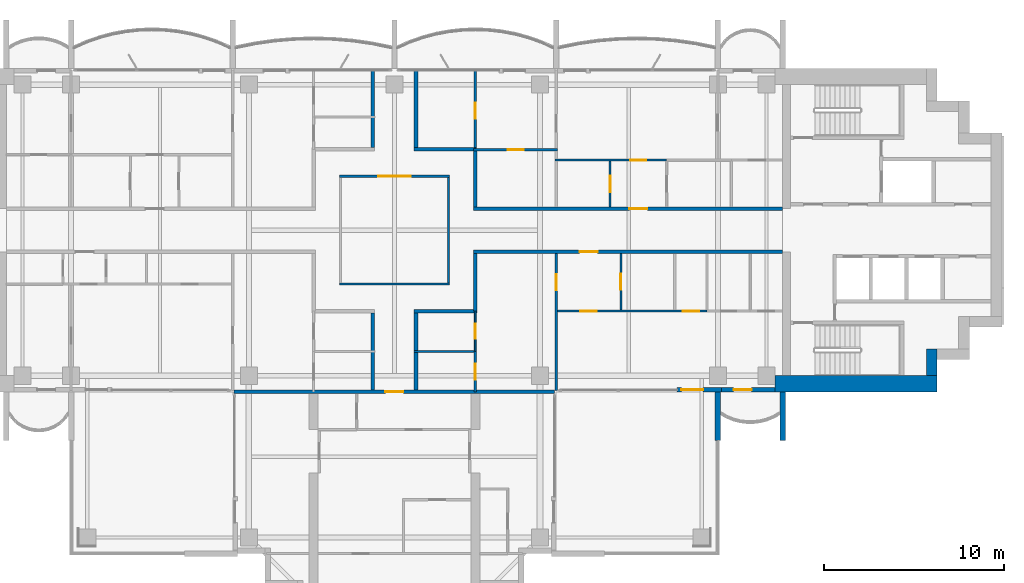
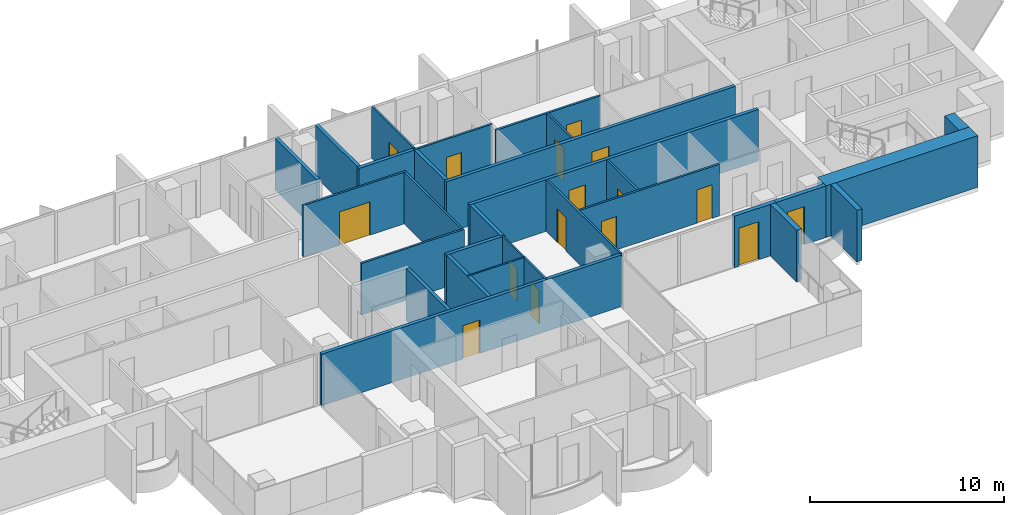
# One storey, part 11 of 17: 30 walls, 16 doors, 16 openings.
"""IFC4 building model written with IfcOpenShell, lengths in metres."""

import ifcopenshell
import ifcopenshell.guid

model = None  # the IFC model being written
_history = None  # IfcOwnerHistory: only IFC2X3 demands one
_inside = {}  # id of a spatial element -> (the spatial element, [elements in it])
_under = {}  # id of a project, library or spatial element -> (it, [spatial elements below it])
_declared = {}  # id of a project -> (the project, [libraries it declares])
_typed = {}  # id of a type object -> (the type object, [elements of that type])
_made_of = {}  # id of a material, layer set ... -> (it, [elements and type objects made of it])


def new_model(schema):
    """Start an empty IFC model of exactly this schema.

    Asked for "IFC4X3", IfcOpenShell would pick the latest addendum, in which some entities
    have other attributes; the version numbers below select the first issue.
    IFC2X3 requires an IfcOwnerHistory on every rooted entity: one is made here for all.
    """
    global model, _history
    if schema == "IFC4X3":
        model = ifcopenshell.file(schema_version=(4, 3, 0, 0))
    else:
        model = ifcopenshell.file(schema=schema)
    _inside.clear()
    _under.clear()
    _declared.clear()
    _typed.clear()
    _made_of.clear()
    _history = None
    if model.schema == "IFC2X3":
        org = make("IfcOrganization", Name="unknown")
        user = make(
            "IfcPersonAndOrganization",
            ThePerson=make("IfcPerson", FamilyName="unknown"),
            TheOrganization=org,
        )
        app = make(
            "IfcApplication",
            ApplicationDeveloper=org,
            Version="unknown",
            ApplicationFullName="unknown",
            ApplicationIdentifier="unknown",
        )
        _history = make(
            "IfcOwnerHistory",
            OwningUser=user,
            OwningApplication=app,
            ChangeAction="ADDED",
            CreationDate=0,
        )
    return model


def make(cls, **values):
    """One entity of the class cls with the attributes given. An attribute that is None is left unset."""
    return model.create_entity(
        cls, **{name: value for name, value in values.items() if value is not None}
    )


def rooted(cls, **values):
    """An entity with a GlobalId (a new one), such as an element, a storey or a relation."""
    return make(cls, GlobalId=ifcopenshell.guid.new(), OwnerHistory=_history, **values)


def si_unit(unit_type, name, prefix=None):
    """IfcSIUnit, for example si_unit("LENGTHUNIT", "METRE", prefix="MILLI")."""
    return make("IfcSIUnit", UnitType=unit_type, Prefix=prefix, Name=name)


def assignment(units):
    """IfcUnitAssignment: the units of a project."""
    return None if units is None else make("IfcUnitAssignment", Units=units)


def point(xyz):
    """IfcCartesianPoint."""
    return None if xyz is None else make("IfcCartesianPoint", Coordinates=xyz)


def direction(xyz):
    """IfcDirection."""
    return None if xyz is None else make("IfcDirection", DirectionRatios=xyz)


def frame(location, z_axis=None, x_axis=None):
    """IfcAxis2Placement3D, a coordinate frame: its origin and axes. An axis left out is left unset."""
    return make(
        "IfcAxis2Placement3D",
        Location=point(location),
        Axis=direction(z_axis),
        RefDirection=direction(x_axis),
    )


def frame_2d(location, x_axis=None):
    """IfcAxis2Placement2D, a coordinate frame in the plane: its origin and x axis."""
    return make(
        "IfcAxis2Placement2D", Location=point(location), RefDirection=direction(x_axis)
    )


def origin():
    """The frame at (0, 0, 0) with its axes left unset."""
    return frame((0.0, 0.0, 0.0))


def place(relative_to, where):
    """IfcLocalPlacement: puts the frame where relative to a parent placement (None: the world)."""
    return make(
        "IfcLocalPlacement", PlacementRelTo=relative_to, RelativePlacement=where
    )


def context(
    kind, dimensions, precision=None, world=None, true_north=None, identifier=None
):
    """IfcGeometricRepresentationContext, for example the 3D "Model" context."""
    return make(
        "IfcGeometricRepresentationContext",
        ContextIdentifier=identifier,
        ContextType=kind,
        CoordinateSpaceDimension=dimensions,
        Precision=precision,
        WorldCoordinateSystem=world,
        TrueNorth=true_north,
    )


def subcontext(parent, identifier, kind, view, scale=None):
    """IfcGeometricRepresentationSubContext, for example "Body" below "Model"."""
    return make(
        "IfcGeometricRepresentationSubContext",
        ContextIdentifier=identifier,
        ContextType=kind,
        ParentContext=parent,
        TargetScale=scale,
        TargetView=view,
    )


def project(units=None, contexts=None):
    """IfcProject with its units and contexts."""
    return rooted(
        "IfcProject",
        Name="project",
        RepresentationContexts=contexts,
        UnitsInContext=assignment(units),
    )


def spatial(cls, under=None, at=None, **own):
    """A site, building, storey or space (cls), placed at a placement, below another one or the project."""
    s = rooted(cls, ObjectPlacement=at, **own)
    if under is not None:
        _under.setdefault(under.id(), (under, []))[1].append(s)
    return s


def profile(cls, at=None, kind="AREA", **sizes):
    """A parametric profile (cls). Its sizes go by their IFC names, for example OverallWidth=200.0."""
    return make(cls, ProfileType=kind, Position=at, **sizes)


def rectangle(**sizes):
    """IfcRectangleProfileDef."""
    return profile("IfcRectangleProfileDef", **sizes)


def extrude(swept, where, along, depth):
    """IfcExtrudedAreaSolid: the profile swept, set in the frame where, extruded along a direction by depth."""
    return make(
        "IfcExtrudedAreaSolid",
        SweptArea=swept,
        Position=where,
        ExtrudedDirection=direction(along),
        Depth=depth,
    )


def shape(context_of_items, identifier, shape_type, items):
    """IfcShapeRepresentation: the items that make up one representation, for example the "Body"."""
    return make(
        "IfcShapeRepresentation",
        ContextOfItems=context_of_items,
        RepresentationIdentifier=identifier,
        RepresentationType=shape_type,
        Items=items,
    )


def material(Name=None, Category=None):
    """IfcMaterial."""
    return make("IfcMaterial", Name=Name, Category=Category)


def layer(
    of_material, thickness, ventilated=None, Name=None, Category=None, Priority=None
):
    """IfcMaterialLayer: one layer of a wall or slab, of a material (None: an air gap)."""
    return make(
        "IfcMaterialLayer",
        Material=of_material,
        LayerThickness=thickness,
        IsVentilated=ventilated,
        Name=Name,
        Category=Category,
        Priority=Priority,
    )


def layer_set(layers, Name=None):
    """IfcMaterialLayerSet."""
    return make("IfcMaterialLayerSet", MaterialLayers=layers, LayerSetName=Name)


def made_of(thing, what):
    """Note that an element or type object is made of a material, layer set ...; save() writes the relation."""
    if what is not None:
        _made_of.setdefault(what.id(), (what, []))[1].append(thing)
    return thing


def type_object(cls, material=None, **own):
    """A type object (cls), such as IfcWallType, which elements share."""
    return made_of(rooted(cls, **own), material)


def element(
    cls,
    number,
    at=None,
    inside=None,
    cuts=None,
    type_object=None,
    material=None,
    context=None,
    identifier="Body",
    shape_type=None,
    held_by="IfcProductDefinitionShape",
    body=None,
    shapes=None,
    **own,
):
    """One element of the class cls, such as IfcWall. Its Tag is "e" and its number.

    at: its placement. inside: the storey or other place that contains it. cuts: it is an
    opening in that element (IfcRelVoidsElement). A single representation is given by context,
    identifier, shape_type and body (its items); several are given by shapes. held_by: the class
    of the entity that holds the representations. save() writes the other relations.
    """
    e = rooted(cls, Tag="e%d" % number, ObjectPlacement=at, **own)
    if body is not None:
        shapes = [shape(context, identifier, shape_type, body)]
    if shapes is not None:
        e.Representation = make(held_by, Representations=shapes)
    if inside is not None:
        _inside.setdefault(inside.id(), (inside, []))[1].append(e)
    if cuts is not None:
        rooted(
            "IfcRelVoidsElement", RelatingBuildingElement=cuts, RelatedOpeningElement=e
        )
    if type_object is not None:
        _typed.setdefault(type_object.id(), (type_object, []))[1].append(e)
    return made_of(e, material)


def fill(opening, filler):
    """IfcRelFillsElement: the door or window that sits in an opening."""
    return rooted(
        "IfcRelFillsElement",
        RelatingOpeningElement=opening,
        RelatedBuildingElement=filler,
    )


def aggregate(whole, parts):
    """IfcRelAggregates: a whole, such as a stair, and the parts it consists of."""
    return rooted("IfcRelAggregates", RelatingObject=whole, RelatedObjects=parts)


def save(model, path):
    """Write the relations noted so far, then the file.

    IfcRelAggregates (storeys below a building ...), IfcRelContainedInSpatialStructure (elements
    in a storey), IfcRelDefinesByType, IfcRelAssociatesMaterial and IfcRelDeclares: one each for
    every whole, place, type object, material and project.
    """
    for whole, parts in _under.values():
        aggregate(whole, parts)
    for where, things in _inside.values():
        rooted(
            "IfcRelContainedInSpatialStructure",
            RelatedElements=things,
            RelatingStructure=where,
        )
    for kind, things in _typed.values():
        rooted("IfcRelDefinesByType", RelatedObjects=things, RelatingType=kind)
    for what, things in _made_of.values():
        rooted("IfcRelAssociatesMaterial", RelatedObjects=things, RelatingMaterial=what)
    for by, libraries in _declared.values():
        rooted("IfcRelDeclares", RelatingContext=by, RelatedDefinitions=libraries)
    model.write(path)


model = new_model("IFC4")

# Units and contexts
model_context = context("Model", 3, precision=1e-05, world=origin(), true_north=direction((0.0, 1.0)))
body_context = subcontext(model_context, "Body", "Model", "MODEL_VIEW")
ifc_project = project(units=[si_unit("LENGTHUNIT", "METRE"), si_unit("AREAUNIT", "SQUARE_METRE"), si_unit("VOLUMEUNIT", "CUBIC_METRE"), si_unit("PLANEANGLEUNIT", "RADIAN"), si_unit("MASSUNIT", "GRAM", prefix="KILO")], contexts=[model_context])

# Site, building, storey
site_placement = place(None, origin())
site = spatial("IfcSite", under=ifc_project, at=site_placement, CompositionType="ELEMENT")
building_placement = place(site_placement, origin())
building = spatial("IfcBuilding", under=site, at=building_placement, Name="Perihelion Cross Residences", CompositionType="ELEMENT")
storey_placement = place(building_placement, frame((0.0, 0.0, 180.60009765625)))
storey = spatial("IfcBuildingStorey", under=building, at=storey_placement, Name="L44", CompositionType="ELEMENT", Elevation=180.60009765625)

# Wall, opening, door
ifc_material_1 = material(Name="Plasterboard partition")
ifc_layer_1 = layer(ifc_material_1, 0.199951171875)
ifc_layer_set_1 = layer_set([ifc_layer_1], Name="Apartment separation wall 200")
wall_type_1 = type_object("IfcWallType", Name="Apartment separation wall 200", PredefinedType="PARTITIONING", material=ifc_layer_set_1)
wall_1_placement = place(storey_placement, frame((4.39990234375, 1.199951171875, 0.0), z_axis=(0.0, 0.0, 1.0), x_axis=(1.0, 0.0, 0.0)))
wall_1 = element("IfcWall", 1, at=wall_1_placement, inside=storey, type_object=wall_type_1, Name="Partition L44 W005", PredefinedType="PARTITIONING", context=body_context, shape_type="SweptSolid", body=[
    extrude(rectangle(XDim=17.2001953125, YDim=0.199951171875, at=frame_2d((8.60009765625, 0.0))), origin(), (0.0, 0.0, 1.0), 3.25),
])
opening_1_placement = place(wall_1_placement, frame((8.675048828125, 0.0, 0.0)))
opening_1 = element("IfcOpeningElement", 2, at=opening_1_placement, cuts=wall_1, Name="Opening L44.A40", PredefinedType="OPENING", context=body_context, shape_type="SweptSolid", body=[
    extrude(rectangle(XDim=1.0, YDim=2.10009765625, at=frame_2d((0.5, 1.050048828125))), frame((0.0, 0.10986328125, 0.0), z_axis=(0.0, -1.0, 0.0), x_axis=(1.0, 0.0, 0.0)), (0.0, 0.0, 1.0), 0.219970703125),
])
ifc_material_2 = material(Name="Timber door leaf", Category="wood")
door_type_1 = type_object("IfcDoorType", Name="Flat entrance door 1000 x 2100", OperationType="SINGLE_SWING_LEFT", PredefinedType="DOOR", material=ifc_material_2)
door_1_placement = place(opening_1_placement, origin())
door_1 = element("IfcDoor", 3, at=door_1_placement, inside=storey, type_object=door_type_1, Name="Door L44.A40", OperationType="SINGLE_SWING_LEFT", OverallHeight=2.10009765625, OverallWidth=1.0, PredefinedType="DOOR", context=body_context, shape_type="SweptSolid", body=[
    extrude(rectangle(XDim=1.0, YDim=2.10009765625, at=frame_2d((0.5, 1.050048828125))), frame((0.0, 0.02490234375, 0.0), z_axis=(0.0, -1.0, 0.0), x_axis=(1.0, 0.0, 0.0)), (0.0, 0.0, 1.0), 0.050048828125),
])
fill(opening_1, door_1)

# Walls
wall_2_placement = place(storey_placement, frame((4.5, 4.416015625, 0.0), z_axis=(0.0, 0.0, 1.0), x_axis=(0.0, -1.0, 0.0)))
element("IfcWall", 4, at=wall_2_placement, inside=storey, type_object=wall_type_1, Name="Partition L44 W006", PredefinedType="PARTITIONING", context=body_context, shape_type="SweptSolid", body=[
    extrude(rectangle(XDim=3.115966796875, YDim=0.199951171875, at=frame_2d((1.55810546875, 0.0))), origin(), (0.0, 0.0, 1.0), 3.25),
])
wall_3_placement = place(storey_placement, frame((1.199951171875, 8.919921875, 0.0), z_axis=(0.0, 0.0, 1.0), x_axis=(0.0, -1.0, 0.0)))
element("IfcWall", 5, at=wall_3_placement, inside=storey, type_object=wall_type_1, Name="Partition L44 W007", PredefinedType="PARTITIONING", context=body_context, shape_type="SweptSolid", body=[
    extrude(rectangle(XDim=4.31982421875, YDim=0.199951171875, at=frame_2d((2.159912109375, 0.0))), origin(), (0.0, 0.0, 1.0), 3.25),
])
wall_4_placement = place(storey_placement, frame((1.10009765625, 4.5, 0.0), z_axis=(0.0, 0.0, 1.0), x_axis=(1.0, 0.0, 0.0)))
element("IfcWall", 6, at=wall_4_placement, inside=storey, type_object=wall_type_1, Name="Partition L44 W008", PredefinedType="PARTITIONING", context=body_context, shape_type="SweptSolid", body=[
    extrude(rectangle(XDim=3.4599609375, YDim=0.199951171875, at=frame_2d((1.72998046875, 0.0))), origin(), (0.0, 0.0, 1.0), 3.25),
])

# Wall, opening, door
wall_5_placement = place(storey_placement, frame((21.60009765625, -1.199951171875, 0.0), z_axis=(0.0, 0.0, 1.0), x_axis=(-1.0, 0.0, 0.0)))
wall_5 = element("IfcWall", 7, at=wall_5_placement, inside=storey, type_object=wall_type_1, Name="Partition L44 W009", PredefinedType="PARTITIONING", context=body_context, shape_type="SweptSolid", body=[
    extrude(rectangle(XDim=17.2001953125, YDim=0.199951171875, at=frame_2d((8.60009765625, 0.0))), origin(), (0.0, 0.0, 1.0), 3.25),
])
opening_2_placement = place(wall_5_placement, frame((10.300048828125, 0.0, 0.0)))
opening_2 = element("IfcOpeningElement", 8, at=opening_2_placement, cuts=wall_5, Name="Opening L44.A41", PredefinedType="OPENING", context=body_context, shape_type="SweptSolid", body=[
    extrude(rectangle(XDim=1.0, YDim=2.10009765625, at=frame_2d((0.5, 1.050048828125))), frame((0.0, 0.10986328125, 0.0), z_axis=(0.0, -1.0, 0.0), x_axis=(1.0, 0.0, 0.0)), (0.0, 0.0, 1.0), 0.219970703125),
])
door_2_placement = place(opening_2_placement, origin())
door_2 = element("IfcDoor", 9, at=door_2_placement, inside=storey, type_object=door_type_1, Name="Door L44.A41", OperationType="SINGLE_SWING_LEFT", OverallHeight=2.10009765625, OverallWidth=1.0, PredefinedType="DOOR", context=body_context, shape_type="SweptSolid", body=[
    extrude(rectangle(XDim=1.0, YDim=2.10009765625, at=frame_2d((0.5, 1.050048828125))), frame((0.0, 0.02490234375, 0.0), z_axis=(0.0, -1.0, 0.0), x_axis=(1.0, 0.0, 0.0)), (0.0, 0.0, 1.0), 0.050048828125),
])
fill(opening_2, door_2)

# Walls
wall_6_placement = place(storey_placement, frame((4.5, -1.300048828125, 0.0), z_axis=(0.0, 0.0, 1.0), x_axis=(0.0, -1.0, 0.0)))
element("IfcWall", 10, at=wall_6_placement, inside=storey, type_object=wall_type_1, Name="Partition L44 W010", PredefinedType="PARTITIONING", context=body_context, shape_type="SweptSolid", body=[
    extrude(rectangle(XDim=3.199951171875, YDim=0.199951171875, at=frame_2d((1.60009765625, 0.0))), origin(), (0.0, 0.0, 1.0), 3.25),
])
wall_7_placement = place(storey_placement, frame((4.60009765625, -4.5, 0.0), z_axis=(0.0, 0.0, 1.0), x_axis=(-1.0, 0.0, 0.0)))
element("IfcWall", 11, at=wall_7_placement, inside=storey, type_object=wall_type_1, Name="Partition L44 W011", PredefinedType="PARTITIONING", context=body_context, shape_type="SweptSolid", body=[
    extrude(rectangle(XDim=3.5, YDim=0.199951171875, at=frame_2d((1.75, 0.0))), origin(), (0.0, 0.0, 1.0), 3.25),
])
wall_8_placement = place(storey_placement, frame((1.199951171875, -4.60009765625, 0.0), z_axis=(0.0, 0.0, 1.0), x_axis=(0.0, -1.0, 0.0)))
element("IfcWall", 12, at=wall_8_placement, inside=storey, type_object=wall_type_1, Name="Partition L44 W012", PredefinedType="PARTITIONING", context=body_context, shape_type="SweptSolid", body=[
    extrude(rectangle(XDim=4.2998046875, YDim=0.199951171875, at=frame_2d((2.14990234375, 0.0))), origin(), (0.0, 0.0, 1.0), 3.25),
])
wall_9_placement = place(storey_placement, frame((-1.199951171875, 4.60009765625, 0.0), z_axis=(0.0, 0.0, 1.0), x_axis=(0.0, 1.0, 0.0)))
element("IfcWall", 13, at=wall_9_placement, inside=storey, type_object=wall_type_1, Name="Partition L44 W016", PredefinedType="PARTITIONING", context=body_context, shape_type="SweptSolid", body=[
    extrude(rectangle(XDim=4.31982421875, YDim=0.199951171875, at=frame_2d((2.159912109375, 0.0))), origin(), (0.0, 0.0, 1.0), 3.25),
])
wall_10_placement = place(storey_placement, frame((-1.199951171875, -8.89990234375, 0.0), z_axis=(0.0, 0.0, 1.0), x_axis=(0.0, 1.0, 0.0)))
element("IfcWall", 14, at=wall_10_placement, inside=storey, type_object=wall_type_1, Name="Partition L44 W019", PredefinedType="PARTITIONING", context=body_context, shape_type="SweptSolid", body=[
    extrude(rectangle(XDim=4.2998046875, YDim=0.199951171875, at=frame_2d((2.14990234375, 0.0))), origin(), (0.0, 0.0, 1.0), 3.25),
])

# Wall, opening, door
wall_11_placement = place(storey_placement, frame((8.919921875, -9.0, 0.0), z_axis=(0.0, 0.0, 1.0), x_axis=(-1.0, 0.0, 0.0)))
wall_11 = element("IfcWall", 15, at=wall_11_placement, inside=storey, type_object=wall_type_1, Name="Partition L44 W021", PredefinedType="PARTITIONING", context=body_context, shape_type="SweptSolid", body=[
    extrude(rectangle(XDim=17.83984375, YDim=0.199951171875, at=frame_2d((8.919921875, 0.0))), origin(), (0.0, 0.0, 1.0), 3.25),
])
opening_3_placement = place(wall_11_placement, frame((8.419921875, 0.0, 0.0)))
opening_3 = element("IfcOpeningElement", 16, at=opening_3_placement, cuts=wall_11, Name="Opening L44.A34", PredefinedType="OPENING", context=body_context, shape_type="SweptSolid", body=[
    extrude(rectangle(XDim=1.0, YDim=2.10009765625, at=frame_2d((0.5, 1.050048828125))), frame((0.0, 0.10986328125, 0.0), z_axis=(0.0, -1.0, 0.0), x_axis=(1.0, 0.0, 0.0)), (0.0, 0.0, 1.0), 0.219970703125),
])
door_3_placement = place(opening_3_placement, origin())
door_3 = element("IfcDoor", 17, at=door_3_placement, inside=storey, type_object=door_type_1, Name="Door L44.A34", OperationType="SINGLE_SWING_RIGHT", OverallHeight=2.10009765625, OverallWidth=1.0, PredefinedType="DOOR", context=body_context, shape_type="SweptSolid", body=[
    extrude(rectangle(XDim=1.0, YDim=2.10009765625, at=frame_2d((0.5, 1.050048828125))), frame((0.0, 0.02490234375, 0.0), z_axis=(0.0, -1.0, 0.0), x_axis=(1.0, 0.0, 0.0)), (0.0, 0.0, 1.0), 0.050048828125),
])
fill(opening_3, door_3)

ifc_material_3 = material(Name="Concrete C30/37, bronze-clad", Category="concrete")
ifc_layer_2 = layer(ifc_material_3, 0.25)
ifc_layer_set_2 = layer_set([ifc_layer_2], Name="Bronze-clad pier wall 250")
wall_type_2 = type_object("IfcWallType", Name="Bronze-clad pier wall 250", PredefinedType="SOLIDWALL", material=ifc_layer_set_2)
wall_12_placement = place(storey_placement, frame((15.72509765625, -8.875, 0.0), z_axis=(0.0, 0.0, 1.0), x_axis=(1.0, 0.0, 0.0)))
wall_12 = element("IfcWall", 18, at=wall_12_placement, inside=storey, type_object=wall_type_2, Name="Wall FW1 L44 east side south bay 1 pier", PredefinedType="SOLIDWALL", context=body_context, shape_type="SweptSolid", body=[
    extrude(rectangle(XDim=2.474853515625, YDim=0.25, at=frame_2d((1.2373046875, 0.0))), origin(), (0.0, 0.0, 1.0), 3.25),
])
opening_4_placement = place(wall_12_placement, frame((0.25, 0.0, 0.0)))
opening_4 = element("IfcOpeningElement", 19, at=opening_4_placement, cuts=wall_12, Name="Opening L44.E13", PredefinedType="OPENING", context=body_context, shape_type="SweptSolid", body=[
    extrude(rectangle(XDim=1.199951171875, YDim=2.39990234375, at=frame_2d((0.60009765625, 1.199951171875))), frame((0.0, 0.135009765625, 0.0), z_axis=(0.0, -1.0, 0.0), x_axis=(1.0, 0.0, 0.0)), (0.0, 0.0, 1.0), 0.27001953125),
])
ifc_material_4 = material(Name="Bronze anodised aluminium, glazed", Category="aluminium")
door_type_2 = type_object("IfcDoorType", Name="Balcony door 1200 x 2400", OperationType="NOTDEFINED", PredefinedType="DOOR", material=ifc_material_4)
door_4_placement = place(opening_4_placement, origin())
door_4 = element("IfcDoor", 20, at=door_4_placement, inside=storey, type_object=door_type_2, Name="Door L44.E13 east side south bay 1", OperationType="SINGLE_SWING_LEFT", OverallHeight=2.39990234375, OverallWidth=1.199951171875, PredefinedType="DOOR", context=body_context, shape_type="SweptSolid", body=[
    extrude(rectangle(XDim=1.199951171875, YDim=2.39990234375, at=frame_2d((0.60009765625, 1.199951171875))), frame((0.0, 0.02490234375, 0.0), z_axis=(0.0, -1.0, 0.0), x_axis=(1.0, 0.0, 0.0)), (0.0, 0.0, 1.0), 0.050048828125),
])
fill(opening_4, door_4)

wall_13_placement = place(storey_placement, frame((18.199951171875, -8.875, 0.0), z_axis=(0.0, 0.0, 1.0), x_axis=(1.0, 0.0, 0.0)))
wall_13 = element("IfcWall", 21, at=wall_13_placement, inside=storey, type_object=wall_type_2, Name="Wall FW1 L44 east side south bay 2 pier", PredefinedType="SOLIDWALL", context=body_context, shape_type="SweptSolid", body=[
    extrude(rectangle(XDim=2.97509765625, YDim=0.25, at=frame_2d((1.487548828125, 0.0))), origin(), (0.0, 0.0, 1.0), 3.25),
])
opening_5_placement = place(wall_13_placement, frame((0.675048828125, 0.0, 0.0)))
opening_5 = element("IfcOpeningElement", 22, at=opening_5_placement, cuts=wall_13, Name="Opening L44.E14", PredefinedType="OPENING", context=body_context, shape_type="SweptSolid", body=[
    extrude(rectangle(XDim=1.0, YDim=2.39990234375, at=frame_2d((0.5, 1.199951171875))), frame((0.0, 0.135009765625, 0.0), z_axis=(0.0, -1.0, 0.0), x_axis=(1.0, 0.0, 0.0)), (0.0, 0.0, 1.0), 0.27001953125),
])
ifc_material_5 = material(Name="Bronze anodised aluminium, glazed", Category="aluminium")
door_type_3 = type_object("IfcDoorType", Name="Balcony door 1000 x 2400", OperationType="NOTDEFINED", PredefinedType="DOOR", material=ifc_material_5)
door_5_placement = place(opening_5_placement, origin())
door_5 = element("IfcDoor", 23, at=door_5_placement, inside=storey, type_object=door_type_3, Name="Door L44.E14 east side south bay 2", OperationType="SINGLE_SWING_RIGHT", OverallHeight=2.39990234375, OverallWidth=1.0, PredefinedType="DOOR", context=body_context, shape_type="SweptSolid", body=[
    extrude(rectangle(XDim=1.0, YDim=2.39990234375, at=frame_2d((0.5, 1.199951171875))), frame((0.0, 0.02490234375, 0.0), z_axis=(0.0, -1.0, 0.0), x_axis=(1.0, 0.0, 0.0)), (0.0, 0.0, 1.0), 0.050048828125),
])
fill(opening_5, door_5)

# Walls
ifc_material_6 = material(Name="Concrete C60/75", Category="concrete")
ifc_layer_3 = layer(ifc_material_6, 0.60009765625)
ifc_layer_set_3 = layer_set([ifc_layer_3], Name="Core wall, outer 600")
wall_type_3 = type_object("IfcWallType", Name="Core wall, outer 600", PredefinedType="SHEAR", material=ifc_layer_set_3)
wall_14_placement = place(storey_placement, frame((29.89990234375, -8.10009765625, 0.0), z_axis=(0.0, 0.0, 1.0), x_axis=(0.0, 1.0, 0.0)))
element("IfcWall", 24, at=wall_14_placement, inside=storey, type_object=wall_type_3, Name="East core core wall, outer", PredefinedType="SHEAR", context=body_context, shape_type="SweptSolid", body=[
    extrude(rectangle(XDim=1.5, YDim=0.60009765625, at=frame_2d((0.75, 0.0))), origin(), (0.0, 0.0, 1.0), 3.25),
])
ifc_material_7 = material(Name="Concrete C60/75", Category="concrete")
ifc_layer_4 = layer(ifc_material_7, 0.89990234375)
ifc_layer_set_4 = layer_set([ifc_layer_4], Name="Core wall, outer 900")
wall_type_4 = type_object("IfcWallType", Name="Core wall, outer 900", PredefinedType="SHEAR", material=ifc_layer_set_4)
wall_15_placement = place(storey_placement, frame((21.175048828125, -8.550048828125, 0.0), z_axis=(0.0, 0.0, 1.0), x_axis=(1.0, 0.0, 0.0)))
element("IfcWall", 25, at=wall_15_placement, inside=storey, type_object=wall_type_4, Name="East core core wall, outer", PredefinedType="SHEAR", context=body_context, shape_type="SweptSolid", body=[
    extrude(rectangle(XDim=9.02490234375, YDim=0.89990234375, at=frame_2d((4.512451171875, 0.0))), origin(), (0.0, 0.0, 1.0), 3.25),
])
ifc_material_8 = material(Name="Plasterboard partition")
ifc_layer_5 = layer(ifc_material_8, 0.1201171875)
ifc_layer_set_5 = layer_set([ifc_layer_5], Name="Partition wall 120")
wall_type_5 = type_object("IfcWallType", Name="Partition wall 120", PredefinedType="PARTITIONING", material=ifc_layer_set_5)
wall_16_placement = place(storey_placement, frame((-3.06005859375, -3.0, 0.0), z_axis=(0.0, 0.0, 1.0), x_axis=(1.0, 0.0, 0.0)))
element("IfcWall", 26, at=wall_16_placement, inside=storey, type_object=wall_type_5, Name="Partition L44 W001", PredefinedType="PARTITIONING", context=body_context, shape_type="SweptSolid", body=[
    extrude(rectangle(XDim=6.1201171875, YDim=0.1201171875, at=frame_2d((3.06005859375, 0.0))), origin(), (0.0, 0.0, 1.0), 3.25),
])
wall_17_placement = place(storey_placement, frame((3.0, -2.93994140625, 0.0), z_axis=(0.0, 0.0, 1.0), x_axis=(0.0, 1.0, 0.0)))
element("IfcWall", 27, at=wall_17_placement, inside=storey, type_object=wall_type_5, Name="Partition L44 W002", PredefinedType="PARTITIONING", context=body_context, shape_type="SweptSolid", body=[
    extrude(rectangle(XDim=5.8798828125, YDim=0.1201171875, at=frame_2d((2.93994140625, 0.0))), origin(), (0.0, 0.0, 1.0), 3.25),
])

# Wall, opening, door
wall_18_placement = place(storey_placement, frame((3.06005859375, 3.0, 0.0), z_axis=(0.0, 0.0, 1.0), x_axis=(-1.0, 0.0, 0.0)))
wall_18 = element("IfcWall", 28, at=wall_18_placement, inside=storey, type_object=wall_type_5, Name="Partition L44 W003", PredefinedType="PARTITIONING", context=body_context, shape_type="SweptSolid", body=[
    extrude(rectangle(XDim=6.1201171875, YDim=0.1201171875, at=frame_2d((3.06005859375, 0.0))), origin(), (0.0, 0.0, 1.0), 3.25),
])
opening_6_placement = place(wall_18_placement, frame((2.159912109375, 0.0, 0.0)))
opening_6 = element("IfcOpeningElement", 29, at=opening_6_placement, cuts=wall_18, Name="Opening L44.A01", PredefinedType="OPENING", context=body_context, shape_type="SweptSolid", body=[
    extrude(rectangle(XDim=1.800048828125, YDim=2.10009765625, at=frame_2d((0.89990234375, 1.050048828125))), frame((0.0, 0.070068359375, 0.0), z_axis=(0.0, -1.0, 0.0), x_axis=(1.0, 0.0, 0.0)), (0.0, 0.0, 1.0), 0.14013671875),
])
ifc_material_9 = material(Name="Glazed timber door leaf", Category="wood")
door_type_4 = type_object("IfcDoorType", Name="Interior double leaf door 1800 x 2100", OperationType="DOUBLE_DOOR_SINGLE_SWING", PredefinedType="DOOR", material=ifc_material_9)
door_6_placement = place(opening_6_placement, origin())
door_6 = element("IfcDoor", 30, at=door_6_placement, inside=storey, type_object=door_type_4, Name="Door L44.A01", OperationType="SINGLE_SWING_LEFT", OverallHeight=2.10009765625, OverallWidth=1.800048828125, PredefinedType="DOOR", context=body_context, shape_type="SweptSolid", body=[
    extrude(rectangle(XDim=1.800048828125, YDim=2.10009765625, at=frame_2d((0.89990234375, 1.050048828125))), frame((0.0, 0.02490234375, 0.0), z_axis=(0.0, -1.0, 0.0), x_axis=(1.0, 0.0, 0.0)), (0.0, 0.0, 1.0), 0.050048828125),
])
fill(opening_6, door_6)

wall_19_placement = place(storey_placement, frame((12.0, 3.840087890625, 0.0), z_axis=(0.0, 0.0, 1.0), x_axis=(0.0, -1.0, 0.0)))
wall_19 = element("IfcWall", 31, at=wall_19_placement, inside=storey, type_object=wall_type_5, Name="Partition L44 W022", PredefinedType="PARTITIONING", context=body_context, shape_type="SweptSolid", body=[
    extrude(rectangle(XDim=2.5400390625, YDim=0.1201171875, at=frame_2d((1.27001953125, 0.0))), origin(), (0.0, 0.0, 1.0), 3.25),
])
opening_7_placement = place(wall_19_placement, frame((0.820068359375, 0.0, 0.0)))
opening_7 = element("IfcOpeningElement", 32, at=opening_7_placement, cuts=wall_19, Name="Opening L44.A03", PredefinedType="OPENING", context=body_context, shape_type="SweptSolid", body=[
    extrude(rectangle(XDim=0.89990234375, YDim=2.10009765625, at=frame_2d((0.449951171875, 1.050048828125))), frame((0.0, 0.070068359375, 0.0), z_axis=(0.0, -1.0, 0.0), x_axis=(1.0, 0.0, 0.0)), (0.0, 0.0, 1.0), 0.14013671875),
])
ifc_material_10 = material(Name="Timber door leaf", Category="wood")
door_type_5 = type_object("IfcDoorType", Name="Interior room door 900 x 2100", OperationType="SINGLE_SWING_LEFT", PredefinedType="DOOR", material=ifc_material_10)
door_7_placement = place(opening_7_placement, origin())
door_7 = element("IfcDoor", 33, at=door_7_placement, inside=storey, type_object=door_type_5, Name="Door L44.A03", OperationType="SINGLE_SWING_RIGHT", OverallHeight=2.10009765625, OverallWidth=0.89990234375, PredefinedType="DOOR", context=body_context, shape_type="SweptSolid", body=[
    extrude(rectangle(XDim=0.89990234375, YDim=2.10009765625, at=frame_2d((0.449951171875, 1.050048828125))), frame((0.0, 0.02490234375, 0.0), z_axis=(0.0, -1.0, 0.0), x_axis=(1.0, 0.0, 0.0)), (0.0, 0.0, 1.0), 0.050048828125),
])
fill(opening_7, door_7)

wall_20_placement = place(storey_placement, frame((8.93994140625, 3.89990234375, 0.0), z_axis=(0.0, 0.0, 1.0), x_axis=(1.0, 0.0, 0.0)))
wall_20 = element("IfcWall", 34, at=wall_20_placement, inside=storey, type_object=wall_type_5, Name="Partition L44 W023", PredefinedType="PARTITIONING", context=body_context, shape_type="SweptSolid", body=[
    extrude(rectangle(XDim=6.2099609375, YDim=0.1201171875, at=frame_2d((3.10498046875, 0.0))), origin(), (0.0, 0.0, 1.0), 3.25),
])
opening_8_placement = place(wall_20_placement, frame((4.18505859375, 0.0, 0.0)))
opening_8 = element("IfcOpeningElement", 35, at=opening_8_placement, cuts=wall_20, Name="Opening L44.A08", PredefinedType="OPENING", context=body_context, shape_type="SweptSolid", body=[
    extrude(rectangle(XDim=0.89990234375, YDim=2.10009765625, at=frame_2d((0.449951171875, 1.050048828125))), frame((0.0, 0.070068359375, 0.0), z_axis=(0.0, -1.0, 0.0), x_axis=(1.0, 0.0, 0.0)), (0.0, 0.0, 1.0), 0.14013671875),
])
door_8_placement = place(opening_8_placement, origin())
door_8 = element("IfcDoor", 36, at=door_8_placement, inside=storey, type_object=door_type_5, Name="Door L44.A08", OperationType="SINGLE_SWING_LEFT", OverallHeight=2.10009765625, OverallWidth=0.89990234375, PredefinedType="DOOR", context=body_context, shape_type="SweptSolid", body=[
    extrude(rectangle(XDim=0.89990234375, YDim=2.10009765625, at=frame_2d((0.449951171875, 1.050048828125))), frame((0.0, 0.02490234375, 0.0), z_axis=(0.0, -1.0, 0.0), x_axis=(1.0, 0.0, 0.0)), (0.0, 0.0, 1.0), 0.050048828125),
])
fill(opening_8, door_8)

wall_21_placement = place(storey_placement, frame((4.39990234375, 4.47607421875, 0.0), z_axis=(0.0, 0.0, 1.0), x_axis=(1.0, 0.0, 0.0)))
wall_21 = element("IfcWall", 37, at=wall_21_placement, inside=storey, type_object=wall_type_5, Name="Partition L44 W030", PredefinedType="PARTITIONING", context=body_context, shape_type="SweptSolid", body=[
    extrude(rectangle(XDim=4.66015625, YDim=0.1201171875, at=frame_2d((2.330078125, 0.0))), origin(), (0.0, 0.0, 1.0), 3.25),
])
opening_9_placement = place(wall_21_placement, frame((1.89990234375, 0.0, 0.0)))
opening_9 = element("IfcOpeningElement", 38, at=opening_9_placement, cuts=wall_21, Name="Opening L44.A04", PredefinedType="OPENING", context=body_context, shape_type="SweptSolid", body=[
    extrude(rectangle(XDim=0.89990234375, YDim=2.10009765625, at=frame_2d((0.449951171875, 1.050048828125))), frame((0.0, 0.070068359375, 0.0), z_axis=(0.0, -1.0, 0.0), x_axis=(1.0, 0.0, 0.0)), (0.0, 0.0, 1.0), 0.14013671875),
])
door_9_placement = place(opening_9_placement, origin())
door_9 = element("IfcDoor", 39, at=door_9_placement, inside=storey, type_object=door_type_5, Name="Door L44.A04", OperationType="SINGLE_SWING_LEFT", OverallHeight=2.10009765625, OverallWidth=0.89990234375, PredefinedType="DOOR", context=body_context, shape_type="SweptSolid", body=[
    extrude(rectangle(XDim=0.89990234375, YDim=2.10009765625, at=frame_2d((0.449951171875, 1.050048828125))), frame((0.0, 0.02490234375, 0.0), z_axis=(0.0, -1.0, 0.0), x_axis=(1.0, 0.0, 0.0)), (0.0, 0.0, 1.0), 0.050048828125),
])
fill(opening_9, door_9)

wall_22_placement = place(storey_placement, frame((4.5, 4.60009765625, 0.0), z_axis=(0.0, 0.0, 1.0), x_axis=(0.0, 1.0, 0.0)))
wall_22 = element("IfcWall", 40, at=wall_22_placement, inside=storey, type_object=wall_type_5, Name="Partition L44 W031", PredefinedType="PARTITIONING", context=body_context, shape_type="SweptSolid", body=[
    extrude(rectangle(XDim=4.31982421875, YDim=0.1201171875, at=frame_2d((2.159912109375, 0.0))), origin(), (0.0, 0.0, 1.0), 3.25),
])
opening_10_placement = place(wall_22_placement, frame((1.60009765625, 0.0, 0.0)))
opening_10 = element("IfcOpeningElement", 41, at=opening_10_placement, cuts=wall_22, Name="Opening L44.A05", PredefinedType="OPENING", context=body_context, shape_type="SweptSolid", body=[
    extrude(rectangle(XDim=0.89990234375, YDim=2.10009765625, at=frame_2d((0.449951171875, 1.050048828125))), frame((0.0, 0.070068359375, 0.0), z_axis=(0.0, -1.0, 0.0), x_axis=(1.0, 0.0, 0.0)), (0.0, 0.0, 1.0), 0.14013671875),
])
door_10_placement = place(opening_10_placement, origin())
door_10 = element("IfcDoor", 42, at=door_10_placement, inside=storey, type_object=door_type_5, Name="Door L44.A05", OperationType="SINGLE_SWING_LEFT", OverallHeight=2.10009765625, OverallWidth=0.89990234375, PredefinedType="DOOR", context=body_context, shape_type="SweptSolid", body=[
    extrude(rectangle(XDim=0.89990234375, YDim=2.10009765625, at=frame_2d((0.449951171875, 1.050048828125))), frame((0.0, 0.02490234375, 0.0), z_axis=(0.0, -1.0, 0.0), x_axis=(1.0, 0.0, 0.0)), (0.0, 0.0, 1.0), 0.050048828125),
])
fill(opening_10, door_10)

wall_23_placement = place(storey_placement, frame((12.60009765625, -1.300048828125, 0.0), z_axis=(0.0, 0.0, 1.0), x_axis=(0.0, -1.0, 0.0)))
wall_23 = element("IfcWall", 43, at=wall_23_placement, inside=storey, type_object=wall_type_5, Name="Partition L44 W032", PredefinedType="PARTITIONING", context=body_context, shape_type="SweptSolid", body=[
    extrude(rectangle(XDim=3.139892578125, YDim=0.1201171875, at=frame_2d((1.56982421875, 0.0))), origin(), (0.0, 0.0, 1.0), 3.25),
])
opening_11_placement = place(wall_23_placement, frame((1.1201171875, 0.0, 0.0)))
opening_11 = element("IfcOpeningElement", 44, at=opening_11_placement, cuts=wall_23, Name="Opening L44.A14", PredefinedType="OPENING", context=body_context, shape_type="SweptSolid", body=[
    extrude(rectangle(XDim=0.89990234375, YDim=2.10009765625, at=frame_2d((0.449951171875, 1.050048828125))), frame((0.0, 0.070068359375, 0.0), z_axis=(0.0, -1.0, 0.0), x_axis=(1.0, 0.0, 0.0)), (0.0, 0.0, 1.0), 0.14013671875),
])
door_11_placement = place(opening_11_placement, origin())
door_11 = element("IfcDoor", 45, at=door_11_placement, inside=storey, type_object=door_type_5, Name="Door L44.A14", OperationType="SINGLE_SWING_RIGHT", OverallHeight=2.10009765625, OverallWidth=0.89990234375, PredefinedType="DOOR", context=body_context, shape_type="SweptSolid", body=[
    extrude(rectangle(XDim=0.89990234375, YDim=2.10009765625, at=frame_2d((0.449951171875, 1.050048828125))), frame((0.0, 0.02490234375, 0.0), z_axis=(0.0, -1.0, 0.0), x_axis=(1.0, 0.0, 0.0)), (0.0, 0.0, 1.0), 0.050048828125),
])
fill(opening_11, door_11)

# Wall, openings, doors
wall_24_placement = place(storey_placement, frame((17.39990234375, -4.5, 0.0), z_axis=(0.0, 0.0, 1.0), x_axis=(-1.0, 0.0, 0.0)))
wall_24 = element("IfcWall", 46, at=wall_24_placement, inside=storey, type_object=wall_type_5, Name="Partition L44 W033", PredefinedType="PARTITIONING", context=body_context, shape_type="SweptSolid", body=[
    extrude(rectangle(XDim=8.4599609375, YDim=0.1201171875, at=frame_2d((4.22998046875, 0.0))), origin(), (0.0, 0.0, 1.0), 3.25),
])
opening_12_placement = place(wall_24_placement, frame((0.449951171875, 0.0, 0.0)))
opening_12 = element("IfcOpeningElement", 47, at=opening_12_placement, cuts=wall_24, Name="Opening L44.A15", PredefinedType="OPENING", context=body_context, shape_type="SweptSolid", body=[
    extrude(rectangle(XDim=0.89990234375, YDim=2.10009765625, at=frame_2d((0.449951171875, 1.050048828125))), frame((0.0, 0.070068359375, 0.0), z_axis=(0.0, -1.0, 0.0), x_axis=(1.0, 0.0, 0.0)), (0.0, 0.0, 1.0), 0.14013671875),
])
opening_13_placement = place(wall_24_placement, frame((6.14990234375, 0.0, 0.0)))
opening_13 = element("IfcOpeningElement", 48, at=opening_13_placement, cuts=wall_24, Name="Opening L44.A17", PredefinedType="OPENING", context=body_context, shape_type="SweptSolid", body=[
    extrude(rectangle(XDim=0.89990234375, YDim=2.10009765625, at=frame_2d((0.449951171875, 1.050048828125))), frame((0.0, 0.070068359375, 0.0), z_axis=(0.0, -1.0, 0.0), x_axis=(1.0, 0.0, 0.0)), (0.0, 0.0, 1.0), 0.14013671875),
])
door_12_placement = place(opening_12_placement, origin())
door_12 = element("IfcDoor", 49, at=door_12_placement, inside=storey, type_object=door_type_5, Name="Door L44.A15", OperationType="SINGLE_SWING_RIGHT", OverallHeight=2.10009765625, OverallWidth=0.89990234375, PredefinedType="DOOR", context=body_context, shape_type="SweptSolid", body=[
    extrude(rectangle(XDim=0.89990234375, YDim=2.10009765625, at=frame_2d((0.449951171875, 1.050048828125))), frame((0.0, 0.02490234375, 0.0), z_axis=(0.0, -1.0, 0.0), x_axis=(1.0, 0.0, 0.0)), (0.0, 0.0, 1.0), 0.050048828125),
])
fill(opening_12, door_12)
door_13_placement = place(opening_13_placement, origin())
door_13 = element("IfcDoor", 50, at=door_13_placement, inside=storey, type_object=door_type_5, Name="Door L44.A17", OperationType="SINGLE_SWING_RIGHT", OverallHeight=2.10009765625, OverallWidth=0.89990234375, PredefinedType="DOOR", context=body_context, shape_type="SweptSolid", body=[
    extrude(rectangle(XDim=0.89990234375, YDim=2.10009765625, at=frame_2d((0.449951171875, 1.050048828125))), frame((0.0, 0.02490234375, 0.0), z_axis=(0.0, -1.0, 0.0), x_axis=(1.0, 0.0, 0.0)), (0.0, 0.0, 1.0), 0.050048828125),
])
fill(opening_13, door_13)

# Wall, opening, door
wall_25_placement = place(storey_placement, frame((9.0, -8.919921875, 0.0), z_axis=(0.0, 0.0, 1.0), x_axis=(0.0, 1.0, 0.0)))
wall_25 = element("IfcWall", 51, at=wall_25_placement, inside=storey, type_object=wall_type_5, Name="Partition L44 W034", PredefinedType="PARTITIONING", context=body_context, shape_type="SweptSolid", body=[
    extrude(rectangle(XDim=7.619873046875, YDim=0.1201171875, at=frame_2d((3.81005859375, 0.0))), origin(), (0.0, 0.0, 1.0), 3.25),
])
opening_14_placement = place(wall_25_placement, frame((5.570068359375, 0.0, 0.0)))
opening_14 = element("IfcOpeningElement", 52, at=opening_14_placement, cuts=wall_25, Name="Opening L44.A13", PredefinedType="OPENING", context=body_context, shape_type="SweptSolid", body=[
    extrude(rectangle(XDim=0.89990234375, YDim=2.10009765625, at=frame_2d((0.449951171875, 1.050048828125))), frame((0.0, 0.070068359375, 0.0), z_axis=(0.0, -1.0, 0.0), x_axis=(1.0, 0.0, 0.0)), (0.0, 0.0, 1.0), 0.14013671875),
])
door_14_placement = place(opening_14_placement, origin())
door_14 = element("IfcDoor", 53, at=door_14_placement, inside=storey, type_object=door_type_5, Name="Door L44.A13", OperationType="SINGLE_SWING_LEFT", OverallHeight=2.10009765625, OverallWidth=0.89990234375, PredefinedType="DOOR", context=body_context, shape_type="SweptSolid", body=[
    extrude(rectangle(XDim=0.89990234375, YDim=2.10009765625, at=frame_2d((0.449951171875, 1.050048828125))), frame((0.0, 0.02490234375, 0.0), z_axis=(0.0, -1.0, 0.0), x_axis=(1.0, 0.0, 0.0)), (0.0, 0.0, 1.0), 0.050048828125),
])
fill(opening_14, door_14)

wall_26_placement = place(storey_placement, frame((4.5, -9.0, 0.0), z_axis=(0.0, 0.0, 1.0), x_axis=(0.0, 1.0, 0.0)))
wall_26 = element("IfcWall", 54, at=wall_26_placement, inside=storey, type_object=wall_type_5, Name="Partition L44 W041", PredefinedType="PARTITIONING", context=body_context, shape_type="SweptSolid", body=[
    extrude(rectangle(XDim=2.25, YDim=0.1201171875, at=frame_2d((1.125, 0.0))), origin(), (0.0, 0.0, 1.0), 3.25),
])
opening_15_placement = place(wall_26_placement, frame((0.675048828125, 0.0, 0.0)))
opening_15 = element("IfcOpeningElement", 55, at=opening_15_placement, cuts=wall_26, Name="Opening L44.A16", PredefinedType="OPENING", context=body_context, shape_type="SweptSolid", body=[
    extrude(rectangle(XDim=0.89990234375, YDim=2.10009765625, at=frame_2d((0.449951171875, 1.050048828125))), frame((0.0, 0.070068359375, 0.0), z_axis=(0.0, -1.0, 0.0), x_axis=(1.0, 0.0, 0.0)), (0.0, 0.0, 1.0), 0.14013671875),
])
door_15_placement = place(opening_15_placement, origin())
door_15 = element("IfcDoor", 56, at=door_15_placement, inside=storey, type_object=door_type_5, Name="Door L44.A16", OperationType="SINGLE_SWING_LEFT", OverallHeight=2.10009765625, OverallWidth=0.89990234375, PredefinedType="DOOR", context=body_context, shape_type="SweptSolid", body=[
    extrude(rectangle(XDim=0.89990234375, YDim=2.10009765625, at=frame_2d((0.449951171875, 1.050048828125))), frame((0.0, 0.02490234375, 0.0), z_axis=(0.0, -1.0, 0.0), x_axis=(1.0, 0.0, 0.0)), (0.0, 0.0, 1.0), 0.050048828125),
])
fill(opening_15, door_15)

# Walls
ifc_material_11 = material(Name="Precast concrete C50/60", Category="concrete")
ifc_layer_6 = layer(ifc_material_11, 0.300048828125)
ifc_layer_set_6 = layer_set([ifc_layer_6], Name="Precast concrete C50/60 blade wall 300")
wall_type_6 = type_object("IfcWallType", Name="Precast concrete C50/60 blade wall 300", PredefinedType="SOLIDWALL", material=ifc_layer_set_6)
for number, where, z_axis, x_axis, name in (
    (57, (18.0, -9.0, 0.0), (0.0, 0.0, 1.0), (0.0, -1.0, 0.0), "Wall BL1 L44 no. 10"),
    (58, (21.60009765625, -9.0, 0.0), (0.0, 0.0, 1.0), (0.0, -1.0, 0.0), "Wall BL1 L44 no. 12"),
):
    element("IfcWall", number, at=place(storey_placement, frame(where, z_axis=z_axis, x_axis=x_axis)), inside=storey, type_object=wall_type_6, Name=name, PredefinedType="SOLIDWALL", context=body_context, shape_type="SweptSolid", body=[
        extrude(rectangle(XDim=2.699951171875, YDim=0.300048828125, at=frame_2d((1.35009765625, 0.0))), origin(), (0.0, 0.0, 1.0), 3.25),
    ])

# Wall, opening, door
ifc_material_12 = material(Name="Plasterboard partition")
ifc_layer_7 = layer(ifc_material_12, 0.10009765625)
ifc_layer_set_7 = layer_set([ifc_layer_7], Name="Wet room wall 100")
wall_type_7 = type_object("IfcWallType", Name="Wet room wall 100", PredefinedType="PARTITIONING", material=ifc_layer_set_7)
wall_27_placement = place(storey_placement, frame((4.5, -6.75, 0.0), z_axis=(0.0, 0.0, 1.0), x_axis=(0.0, 1.0, 0.0)))
wall_27 = element("IfcWall", 59, at=wall_27_placement, inside=storey, type_object=wall_type_7, Name="Partition L44 W040", PredefinedType="PARTITIONING", context=body_context, shape_type="SweptSolid", body=[
    extrude(rectangle(XDim=2.25, YDim=0.10009765625, at=frame_2d((1.125, 0.0))), origin(), (0.0, 0.0, 1.0), 3.25),
])
opening_16_placement = place(wall_27_placement, frame((0.699951171875, 0.0, 0.0)))
opening_16 = element("IfcOpeningElement", 60, at=opening_16_placement, cuts=wall_27, Name="Opening L44.A12", PredefinedType="OPENING", context=body_context, shape_type="SweptSolid", body=[
    extrude(rectangle(XDim=0.85009765625, YDim=2.10009765625, at=frame_2d((0.425048828125, 1.050048828125))), frame((0.0, 0.06005859375, 0.0), z_axis=(0.0, -1.0, 0.0), x_axis=(1.0, 0.0, 0.0)), (0.0, 0.0, 1.0), 0.1201171875),
])
ifc_material_13 = material(Name="Timber door leaf", Category="wood")
door_type_6 = type_object("IfcDoorType", Name="Interior bathroom door 850 x 2100", OperationType="SINGLE_SWING_LEFT", PredefinedType="DOOR", material=ifc_material_13)
door_16_placement = place(opening_16_placement, origin())
door_16 = element("IfcDoor", 61, at=door_16_placement, inside=storey, type_object=door_type_6, Name="Door L44.A12", OperationType="SINGLE_SWING_RIGHT", OverallHeight=2.10009765625, OverallWidth=0.85009765625, PredefinedType="DOOR", context=body_context, shape_type="SweptSolid", body=[
    extrude(rectangle(XDim=0.85009765625, YDim=2.10009765625, at=frame_2d((0.425048828125, 1.050048828125))), frame((0.0, 0.02490234375, 0.0), z_axis=(0.0, -1.0, 0.0), x_axis=(1.0, 0.0, 0.0)), (0.0, 0.0, 1.0), 0.050048828125),
])
fill(opening_16, door_16)

# Wall
wall_28_placement = place(storey_placement, frame((4.56005859375, -6.75, 0.0), z_axis=(0.0, 0.0, 1.0), x_axis=(-1.0, 0.0, 0.0)))
element("IfcWall", 62, at=wall_28_placement, inside=storey, type_object=wall_type_7, Name="Partition L44 W042", PredefinedType="PARTITIONING", context=body_context, shape_type="SweptSolid", body=[
    extrude(rectangle(XDim=3.4599609375, YDim=0.10009765625, at=frame_2d((1.72998046875, 0.0))), origin(), (0.0, 0.0, 1.0), 3.25),
])

save(model, "model.ifc")
